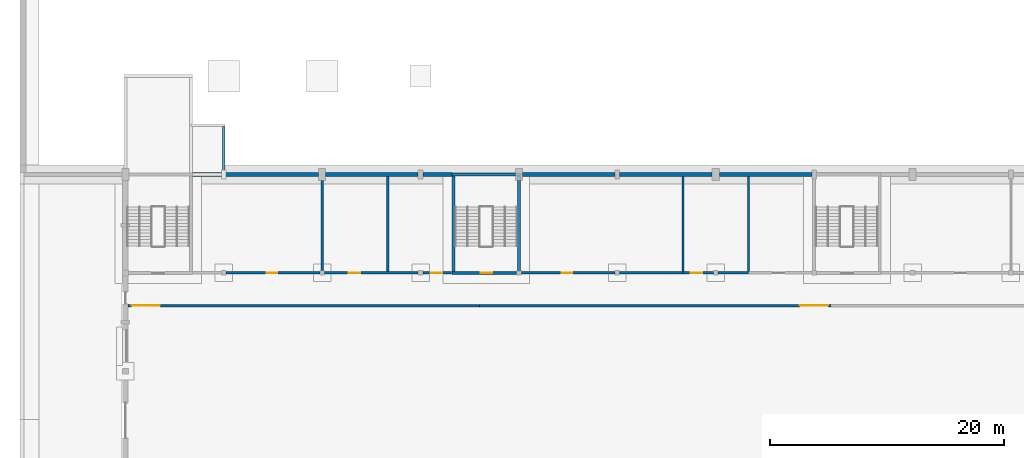
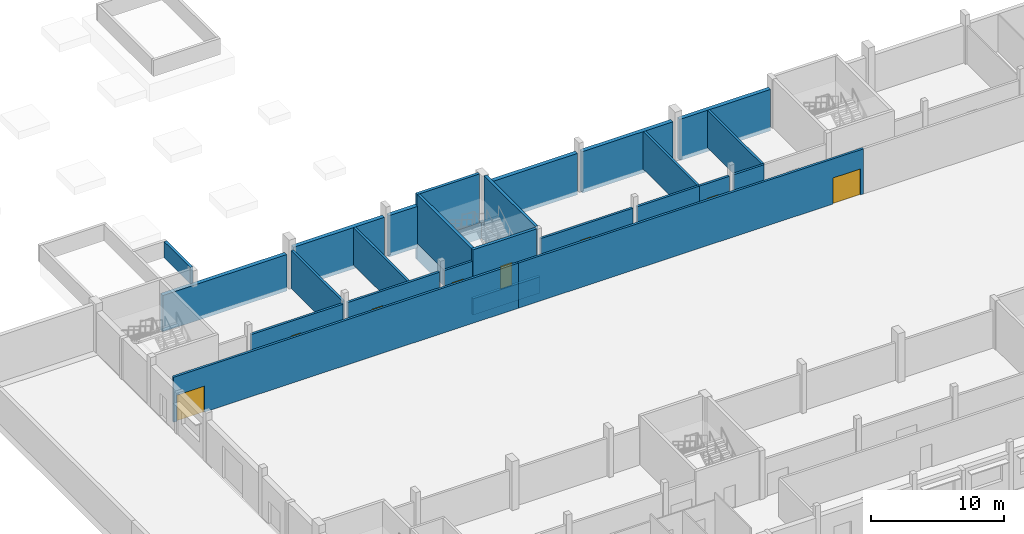
# One storey, part 19 of 36: 28 walls, 8 doors, 8 openings.
"""IFC4 building model written with IfcOpenShell, lengths in metres."""

from ifc_helpers import new_model, si_unit, direction, frame, frame_2d, origin, place, context, subcontext, project, spatial, rectangle, extrude, material, layer, layer_set, type_object, element, fill, save


model = new_model("IFC4")

# Units and contexts
model_context = context("Model", 3, precision=1e-05, world=origin(), true_north=direction((0.0, 1.0)))
body_context = subcontext(model_context, "Body", "Model", "MODEL_VIEW")
ifc_project = project(units=[si_unit("LENGTHUNIT", "METRE"), si_unit("AREAUNIT", "SQUARE_METRE"), si_unit("VOLUMEUNIT", "CUBIC_METRE"), si_unit("PLANEANGLEUNIT", "RADIAN"), si_unit("MASSUNIT", "GRAM", prefix="KILO")], contexts=[model_context])

# Site, building, storey
site_placement = place(None, origin())
site = spatial("IfcSite", under=ifc_project, at=site_placement, CompositionType="ELEMENT")
building_placement = place(site_placement, origin())
building = spatial("IfcBuilding", under=site, at=building_placement, Name="Fescue Hill Polytechnic", CompositionType="ELEMENT")
storey_placement = place(building_placement, origin())
storey = spatial("IfcBuildingStorey", under=building, at=storey_placement, Name="L00", CompositionType="ELEMENT", Elevation=0.0)

# Wall, opening, door
ifc_material_1 = material(Name="Concrete 40 MPa", Category="concrete")
ifc_layer_1 = layer(ifc_material_1, 0.25)
ifc_layer_set_1 = layer_set([ifc_layer_1], Name="Concrete 40 MPa")
wall_type_1 = type_object("IfcWallType", Name="Core wall 250", PredefinedType="SHEAR", material=ifc_layer_set_1)
wall_1_placement = place(storey_placement, frame((27.875, 42.0, 0.0), z_axis=(0.0, 0.0, 1.0), x_axis=(1.0, 0.0, 0.0)))
wall_1 = element("IfcWall", 1, at=wall_1_placement, inside=storey, type_object=wall_type_1, Name="CW-L00-ST-V1-6-11", PredefinedType="SHEAR", context=body_context, shape_type="SweptSolid", body=[
    extrude(rectangle(XDim=5.52490234375, YDim=0.25, at=frame_2d((2.762451171875, 0.0))), origin(), (0.0, 0.0, 1.0), 4.5),
])
opening_1_placement = place(wall_1_placement, frame((2.449951171875, 0.0, 0.0)))
opening_1 = element("IfcOpeningElement", 2, at=opening_1_placement, cuts=wall_1, Name="Opening D0076", PredefinedType="OPENING", context=body_context, shape_type="SweptSolid", body=[
    extrude(rectangle(XDim=1.0, YDim=2.10009765625, at=frame_2d((0.5, 1.050048828125))), frame((0.0, 0.135009765625, 0.0), z_axis=(0.0, -1.0, 0.0), x_axis=(1.0, 0.0, 0.0)), (0.0, 0.0, 1.0), 0.27001953125),
])
ifc_material_2 = material(Name="Steel fire door", Category="steel")
door_type_1 = type_object("IfcDoorType", Name="Door single swing 1000x2100 stair fire rated", OperationType="NOTDEFINED", PredefinedType="DOOR", material=ifc_material_2)
door_1_placement = place(opening_1_placement, origin())
door_1 = element("IfcDoor", 3, at=door_1_placement, inside=storey, type_object=door_type_1, Name="L00 ST-V1-6 stair door", OperationType="SINGLE_SWING_LEFT", OverallHeight=2.10009765625, OverallWidth=1.0, PredefinedType="DOOR", context=body_context, shape_type="SweptSolid", body=[
    extrude(rectangle(XDim=1.0, YDim=2.10009765625, at=frame_2d((0.5, 1.050048828125))), frame((0.0, 0.02490234375, 0.0), z_axis=(0.0, -1.0, 0.0), x_axis=(1.0, 0.0, 0.0)), (0.0, 0.0, 1.0), 0.050048828125),
])
fill(opening_1, door_1)

# Walls
wall_2_placement = place(storey_placement, frame((27.875, 50.39990234375, 0.0), z_axis=(0.0, 0.0, 1.0), x_axis=(1.0, 0.0, 0.0)))
element("IfcWall", 4, at=wall_2_placement, inside=storey, type_object=wall_type_1, Name="CW-L00-ST-V1-6-21", PredefinedType="SHEAR", context=body_context, shape_type="SweptSolid", body=[
    extrude(rectangle(XDim=5.425048828125, YDim=0.25, at=frame_2d((2.71240234375, 0.0))), origin(), (0.0, 0.0, 1.0), 4.5),
])
wall_3_placement = place(storey_placement, frame((28.0, 42.125, 0.0), z_axis=(0.0, 0.0, 1.0), x_axis=(0.0, 1.0, 0.0)))
element("IfcWall", 5, at=wall_3_placement, inside=storey, type_object=wall_type_1, Name="CW-L00-ST-V1-6-31", PredefinedType="SHEAR", context=body_context, shape_type="SweptSolid", body=[
    extrude(rectangle(XDim=8.14990234375, YDim=0.25, at=frame_2d((4.074951171875, 0.0))), origin(), (0.0, 0.0, 1.0), 4.5),
])
wall_4_placement = place(storey_placement, frame((33.60009765625, 42.199951171875, 0.0), z_axis=(0.0, 0.0, 1.0), x_axis=(0.0, 1.0, 0.0)))
element("IfcWall", 6, at=wall_4_placement, inside=storey, type_object=wall_type_1, Name="CW-L00-ST-V1-6-41", PredefinedType="SHEAR", context=body_context, shape_type="SweptSolid", body=[
    extrude(rectangle(XDim=7.699951171875, YDim=0.25, at=frame_2d((3.85009765625, 0.0))), origin(), (0.0, 0.0, 1.0), 4.5),
])
for number, where, z_axis, x_axis, name in (
    (7, (27.875, 42.0, -1.5), (0.0, 0.0, 1.0), (1.0, 0.0, 0.0), "FW-ST-V1-6-1"),
    (8, (27.875, 50.39990234375, -1.5), (0.0, 0.0, 1.0), (1.0, 0.0, 0.0), "FW-ST-V1-6-2"),
):
    element("IfcWall", number, at=place(storey_placement, frame(where, z_axis=z_axis, x_axis=x_axis)), inside=storey, type_object=wall_type_1, Name=name, PredefinedType="SHEAR", context=body_context, shape_type="SweptSolid", body=[
        extrude(rectangle(XDim=5.85009765625, YDim=0.25, at=frame_2d((2.925048828125, 0.0))), origin(), (0.0, 0.0, 1.0), 1.5),
    ])
for number, where, z_axis, x_axis, name in (
    (9, (28.0, 42.125, -1.5), (0.0, 0.0, 1.0), (0.0, 1.0, 0.0), "FW-ST-V1-6-3"),
    (10, (33.60009765625, 42.125, -1.5), (0.0, 0.0, 1.0), (0.0, 1.0, 0.0), "FW-ST-V1-6-4"),
):
    element("IfcWall", number, at=place(storey_placement, frame(where, z_axis=z_axis, x_axis=x_axis)), inside=storey, type_object=wall_type_1, Name=name, PredefinedType="SHEAR", context=body_context, shape_type="SweptSolid", body=[
        extrude(rectangle(XDim=8.14990234375, YDim=0.25, at=frame_2d((4.074951171875, 0.0))), origin(), (0.0, 0.0, 1.0), 1.5),
    ])
ifc_layer_2 = layer(ifc_material_1, 0.25)
ifc_layer_set_2 = layer_set([ifc_layer_2], Name="Concrete 40 MPa")
wall_type_2 = type_object("IfcWallType", Name="Lift pit wall 250", PredefinedType="SHEAR", material=ifc_layer_set_2)
wall_5_placement = place(storey_placement, frame((8.39990234375, 50.52490234375, 3.0), z_axis=(0.0, 0.0, 1.0), x_axis=(0.0, 1.0, 0.0)))
element("IfcWall", 11, at=wall_5_placement, inside=storey, type_object=wall_type_2, Name="PW-L01-LF-V4-1-4", PredefinedType="SHEAR", context=body_context, shape_type="SweptSolid", body=[
    extrude(rectangle(XDim=3.9501953125, YDim=0.25, at=frame_2d((1.97509765625, 0.0))), origin(), (0.0, 0.0, 1.0), 1.5),
])

# Wall, opening, door
ifc_material_3 = material(Name="Concrete masonry block 15 MPa", Category="masonry")
ifc_layer_3 = layer(ifc_material_3, 0.199951171875)
ifc_layer_set_3 = layer_set([ifc_layer_3], Name="Concrete masonry block 15 MPa")
wall_type_3 = type_object("IfcWallType", Name="Plant room wall 200 block EI 60", PredefinedType="PARTITIONING", material=ifc_layer_set_3)
wall_6_placement = place(storey_placement, frame((17.0, 42.0, 0.0), z_axis=(0.0, 0.0, 1.0), x_axis=(1.0, 0.0, 0.0)))
wall_6 = element("IfcWall", 12, at=wall_6_placement, inside=storey, type_object=wall_type_3, Name="IW-L00-049", PredefinedType="PARTITIONING", context=body_context, shape_type="SweptSolid", body=[
    extrude(rectangle(XDim=8.0, YDim=0.199951171875, at=frame_2d((4.0, 0.0))), origin(), (0.0, 0.0, 1.0), 3.449951171875),
])
opening_2_placement = place(wall_6_placement, frame((2.050048828125, 0.0, 0.0)))
opening_2 = element("IfcOpeningElement", 13, at=opening_2_placement, cuts=wall_6, Name="Opening D0050", PredefinedType="OPENING", context=body_context, shape_type="SweptSolid", body=[
    extrude(rectangle(XDim=1.0, YDim=2.10009765625, at=frame_2d((0.5, 1.050048828125))), frame((0.0, 0.10986328125, 0.0), z_axis=(0.0, -1.0, 0.0), x_axis=(1.0, 0.0, 0.0)), (0.0, 0.0, 1.0), 0.219970703125),
])
ifc_material_4 = material(Name="Steel", Category="steel")
door_type_2 = type_object("IfcDoorType", Name="Door single swing 1000x2100 FD60", OperationType="SINGLE_SWING_LEFT", PredefinedType="DOOR", material=ifc_material_4)
door_2_placement = place(opening_2_placement, origin())
door_2 = element("IfcDoor", 14, at=door_2_placement, inside=storey, type_object=door_type_2, Name="Door D0050", OperationType="SINGLE_SWING_LEFT", OverallHeight=2.10009765625, OverallWidth=1.0, PredefinedType="DOOR", context=body_context, shape_type="SweptSolid", body=[
    extrude(rectangle(XDim=1.0, YDim=2.10009765625, at=frame_2d((0.5, 1.050048828125))), frame((0.0, 0.02490234375, 0.0), z_axis=(0.0, -1.0, 0.0), x_axis=(1.0, 0.0, 0.0)), (0.0, 0.0, 1.0), 0.050048828125),
])
fill(opening_2, door_2)

wall_7_placement = place(storey_placement, frame((25.39990234375, 42.0, 0.0), z_axis=(0.0, 0.0, 1.0), x_axis=(1.0, 0.0, 0.0)))
wall_7 = element("IfcWall", 15, at=wall_7_placement, inside=storey, type_object=wall_type_3, Name="IW-L00-050", PredefinedType="PARTITIONING", context=body_context, shape_type="SweptSolid", body=[
    extrude(rectangle(XDim=2.4501953125, YDim=0.199951171875, at=frame_2d((1.22509765625, 0.0))), origin(), (0.0, 0.0, 1.0), 3.449951171875),
])
opening_3_placement = place(wall_7_placement, frame((0.64990234375, 0.0, 0.0)))
opening_3 = element("IfcOpeningElement", 16, at=opening_3_placement, cuts=wall_7, Name="Opening D0051", PredefinedType="OPENING", context=body_context, shape_type="SweptSolid", body=[
    extrude(rectangle(XDim=1.0, YDim=2.10009765625, at=frame_2d((0.5, 1.050048828125))), frame((0.0, 0.10986328125, 0.0), z_axis=(0.0, -1.0, 0.0), x_axis=(1.0, 0.0, 0.0)), (0.0, 0.0, 1.0), 0.219970703125),
])
door_3_placement = place(opening_3_placement, origin())
door_3 = element("IfcDoor", 17, at=door_3_placement, inside=storey, type_object=door_type_2, Name="Door D0051", OperationType="SINGLE_SWING_LEFT", OverallHeight=2.10009765625, OverallWidth=1.0, PredefinedType="DOOR", context=body_context, shape_type="SweptSolid", body=[
    extrude(rectangle(XDim=1.0, YDim=2.10009765625, at=frame_2d((0.5, 1.050048828125))), frame((0.0, 0.02490234375, 0.0), z_axis=(0.0, -1.0, 0.0), x_axis=(1.0, 0.0, 0.0)), (0.0, 0.0, 1.0), 0.050048828125),
])
fill(opening_3, door_3)

wall_8_placement = place(storey_placement, frame((47.60009765625, 42.0, 0.0), z_axis=(0.0, 0.0, 1.0), x_axis=(1.0, 0.0, 0.0)))
wall_8 = element("IfcWall", 18, at=wall_8_placement, inside=storey, type_object=wall_type_3, Name="IW-L00-051", PredefinedType="PARTITIONING", context=body_context, shape_type="SweptSolid", body=[
    extrude(rectangle(XDim=2.599853515625, YDim=0.199951171875, at=frame_2d((1.2998046875, 0.0))), origin(), (0.0, 0.0, 1.0), 3.449951171875),
])
opening_4_placement = place(wall_8_placement, frame((0.64990234375, 0.0, 0.0)))
opening_4 = element("IfcOpeningElement", 19, at=opening_4_placement, cuts=wall_8, Name="Opening D0053", PredefinedType="OPENING", context=body_context, shape_type="SweptSolid", body=[
    extrude(rectangle(XDim=1.0, YDim=2.10009765625, at=frame_2d((0.5, 1.050048828125))), frame((0.0, 0.10986328125, 0.0), z_axis=(0.0, -1.0, 0.0), x_axis=(1.0, 0.0, 0.0)), (0.0, 0.0, 1.0), 0.219970703125),
])
door_4_placement = place(opening_4_placement, origin())
door_4 = element("IfcDoor", 20, at=door_4_placement, inside=storey, type_object=door_type_2, Name="Door D0053", OperationType="SINGLE_SWING_LEFT", OverallHeight=2.10009765625, OverallWidth=1.0, PredefinedType="DOOR", context=body_context, shape_type="SweptSolid", body=[
    extrude(rectangle(XDim=1.0, YDim=2.10009765625, at=frame_2d((0.5, 1.050048828125))), frame((0.0, 0.02490234375, 0.0), z_axis=(0.0, -1.0, 0.0), x_axis=(1.0, 0.0, 0.0)), (0.0, 0.0, 1.0), 0.050048828125),
])
fill(opening_4, door_4)

# Walls
wall_9_placement = place(storey_placement, frame((50.60009765625, 42.0, 0.0), z_axis=(0.0, 0.0, 1.0), x_axis=(1.0, 0.0, 0.0)))
element("IfcWall", 21, at=wall_9_placement, inside=storey, type_object=wall_type_3, Name="IW-L00-052", PredefinedType="PARTITIONING", context=body_context, shape_type="SweptSolid", body=[
    extrude(rectangle(XDim=2.599853515625, YDim=0.199951171875, at=frame_2d((1.2998046875, 0.0))), origin(), (0.0, 0.0, 1.0), 3.449951171875),
])
wall_10_placement = place(storey_placement, frame((16.800048828125, 42.199951171875, 0.0), z_axis=(0.0, 0.0, 1.0), x_axis=(0.0, 1.0, 0.0)))
element("IfcWall", 22, at=wall_10_placement, inside=storey, type_object=wall_type_3, Name="IW-L00-071", PredefinedType="PARTITIONING", context=body_context, shape_type="SweptSolid", body=[
    extrude(rectangle(XDim=7.699951171875, YDim=0.199951171875, at=frame_2d((3.85009765625, 0.0))), origin(), (0.0, 0.0, 1.0), 3.5),
])
for number, where, z_axis, x_axis, name in (
    (23, (22.39990234375, 42.0, 0.0), (0.0, 0.0, 1.0), (0.0, 1.0, 0.0), "IW-L00-072"),
    (24, (47.60009765625, 42.0, 0.0), (0.0, 0.0, 1.0), (0.0, 1.0, 0.0), "IW-L00-077"),
    (25, (53.199951171875, 42.0, 0.0), (0.0, 0.0, 1.0), (0.0, 1.0, 0.0), "IW-L00-078"),
):
    element("IfcWall", number, at=place(storey_placement, frame(where, z_axis=z_axis, x_axis=x_axis)), inside=storey, type_object=wall_type_3, Name=name, PredefinedType="PARTITIONING", context=body_context, shape_type="SweptSolid", body=[
        extrude(rectangle(XDim=8.22509765625, YDim=0.199951171875, at=frame_2d((4.112548828125, 0.0))), origin(), (0.0, 0.0, 1.0), 3.449951171875),
    ])
ifc_material_5 = material(Name="Concrete 35 MPa", Category="concrete")
ifc_layer_4 = layer(ifc_material_5, 0.35009765625)
ifc_layer_set_4 = layer_set([ifc_layer_4], Name="Concrete 35 MPa")
wall_type_4 = type_object("IfcWallType", Name="Retaining wall 350", PredefinedType="SOLIDWALL", material=ifc_layer_set_4)
wall_11_placement = place(storey_placement, frame((41.800048828125, 50.39990234375, -0.35009765625), z_axis=(0.0, 0.0, 1.0), x_axis=(-1.0, 0.0, 0.0)))
element("IfcWall", 26, at=wall_11_placement, inside=storey, type_object=wall_type_4, Name="RE-L00-V1-10", PredefinedType="SOLIDWALL", context=body_context, shape_type="SweptSolid", body=[
    extrude(rectangle(XDim=7.900146484375, YDim=0.35009765625, at=frame_2d((3.9501953125, 0.0))), origin(), (0.0, 0.0, 1.0), 3.800048828125),
])
wall_12_placement = place(storey_placement, frame((25.0, 50.39990234375, -0.35009765625), z_axis=(0.0, 0.0, 1.0), x_axis=(-1.0, 0.0, 0.0)))
element("IfcWall", 27, at=wall_12_placement, inside=storey, type_object=wall_type_4, Name="RE-L00-V1-12", PredefinedType="SOLIDWALL", context=body_context, shape_type="SweptSolid", body=[
    extrude(rectangle(XDim=7.89990234375, YDim=0.35009765625, at=frame_2d((3.949951171875, 0.0))), origin(), (0.0, 0.0, 1.0), 3.800048828125),
])
for number, where, z_axis, x_axis, name in (
    (28, (58.60009765625, 50.39990234375, -0.35009765625), (0.0, 0.0, 1.0), (-1.0, 0.0, 0.0), "RE-L00-V1-8"),
    (29, (50.10009765625, 50.39990234375, -0.35009765625), (0.0, 0.0, 1.0), (-1.0, 0.0, 0.0), "RE-L00-V1-9"),
):
    element("IfcWall", number, at=place(storey_placement, frame(where, z_axis=z_axis, x_axis=x_axis)), inside=storey, type_object=wall_type_4, Name=name, PredefinedType="SOLIDWALL", context=body_context, shape_type="SweptSolid", body=[
        extrude(rectangle(XDim=7.900146484375, YDim=0.35009765625, at=frame_2d((3.9501953125, 0.0))), origin(), (0.0, 0.0, 1.0), 3.800048828125),
    ])
wall_13_placement = place(storey_placement, frame((27.875, 50.39990234375, -0.35009765625), z_axis=(0.0, 0.0, 1.0), x_axis=(-1.0, 0.0, 0.0)))
element("IfcWall", 30, at=wall_13_placement, inside=storey, type_object=wall_type_4, Name="RE-L00-V1-11", PredefinedType="SOLIDWALL", context=body_context, shape_type="SweptSolid", body=[
    extrude(rectangle(XDim=2.47509765625, YDim=0.35009765625, at=frame_2d((1.237548828125, 0.0))), origin(), (0.0, 0.0, 1.0), 3.800048828125),
])
wall_14_placement = place(storey_placement, frame((16.5, 50.39990234375, -0.35009765625), z_axis=(0.0, 0.0, 1.0), x_axis=(-1.0, 0.0, 0.0)))
element("IfcWall", 31, at=wall_14_placement, inside=storey, type_object=wall_type_4, Name="RE-L00-V1-13", PredefinedType="SOLIDWALL", context=body_context, shape_type="SweptSolid", body=[
    extrude(rectangle(XDim=10.77490234375, YDim=0.35009765625, at=frame_2d((5.387451171875, 0.0))), origin(), (0.0, 0.0, 1.0), 3.35009765625),
])

# Wall, opening, door
ifc_layer_5 = layer(ifc_material_3, 0.199951171875)
ifc_layer_set_5 = layer_set([ifc_layer_5], Name="Concrete masonry block 15 MPa")
wall_type_5 = type_object("IfcWallType", Name="Workshop wall 200 block EI 60", PredefinedType="PARTITIONING", material=ifc_layer_set_5)
wall_15_placement = place(storey_placement, frame((0.239990234375, 39.199951171875, 0.0), z_axis=(0.0, 0.0, 1.0), x_axis=(1.0, 0.0, 0.0)))
wall_15 = element("IfcWall", 32, at=wall_15_placement, inside=storey, type_object=wall_type_5, Name="IW-L00-043", PredefinedType="PARTITIONING", context=body_context, shape_type="SweptSolid", body=[
    extrude(rectangle(XDim=30.0, YDim=0.199951171875, at=frame_2d((15.0, 0.0))), origin(), (0.0, 0.0, 1.0), 4.14990234375),
])
opening_5_placement = place(wall_15_placement, frame((0.300048828125, 0.0, 0.0)))
opening_5 = element("IfcOpeningElement", 33, at=opening_5_placement, cuts=wall_15, Name="Opening D0048", PredefinedType="OPENING", context=body_context, shape_type="SweptSolid", body=[
    extrude(rectangle(XDim=2.39990234375, YDim=2.39990234375, at=frame_2d((1.199951171875, 1.199951171875))), frame((0.0, 0.10986328125, 0.0), z_axis=(0.0, -1.0, 0.0), x_axis=(1.0, 0.0, 0.0)), (0.0, 0.0, 1.0), 0.219970703125),
])
door_type_3 = type_object("IfcDoorType", Name="Door double swing 2400x2400 FD60 equipment", OperationType="DOUBLE_DOOR_SINGLE_SWING", PredefinedType="DOOR", material=ifc_material_4)
door_5_placement = place(opening_5_placement, origin())
door_5 = element("IfcDoor", 34, at=door_5_placement, inside=storey, type_object=door_type_3, Name="Door D0048", OperationType="DOUBLE_DOOR_SINGLE_SWING", OverallHeight=2.39990234375, OverallWidth=2.39990234375, PredefinedType="DOOR", context=body_context, shape_type="SweptSolid", body=[
    extrude(rectangle(XDim=2.39990234375, YDim=2.39990234375, at=frame_2d((1.199951171875, 1.199951171875))), frame((0.0, 0.02490234375, 0.0), z_axis=(0.0, -1.0, 0.0), x_axis=(1.0, 0.0, 0.0)), (0.0, 0.0, 1.0), 0.050048828125),
])
fill(opening_5, door_5)

wall_16_placement = place(storey_placement, frame((30.239990234375, 39.199951171875, 0.0), z_axis=(0.0, 0.0, 1.0), x_axis=(1.0, 0.0, 0.0)))
wall_16 = element("IfcWall", 35, at=wall_16_placement, inside=storey, type_object=wall_type_5, Name="IW-L00-044", PredefinedType="PARTITIONING", context=body_context, shape_type="SweptSolid", body=[
    extrude(rectangle(XDim=30.0, YDim=0.199951171875, at=frame_2d((15.0, 0.0))), origin(), (0.0, 0.0, 1.0), 4.14990234375),
])
opening_6_placement = place(wall_16_placement, frame((27.35009765625, 0.0, 0.0)))
opening_6 = element("IfcOpeningElement", 36, at=opening_6_placement, cuts=wall_16, Name="Opening D0046", PredefinedType="OPENING", context=body_context, shape_type="SweptSolid", body=[
    extrude(rectangle(XDim=2.39990234375, YDim=2.39990234375, at=frame_2d((1.199951171875, 1.199951171875))), frame((0.0, 0.10986328125, 0.0), z_axis=(0.0, -1.0, 0.0), x_axis=(1.0, 0.0, 0.0)), (0.0, 0.0, 1.0), 0.219970703125),
])
door_6_placement = place(opening_6_placement, origin())
door_6 = element("IfcDoor", 37, at=door_6_placement, inside=storey, type_object=door_type_3, Name="Door D0046", OperationType="DOUBLE_DOOR_SINGLE_SWING", OverallHeight=2.39990234375, OverallWidth=2.39990234375, PredefinedType="DOOR", context=body_context, shape_type="SweptSolid", body=[
    extrude(rectangle(XDim=2.39990234375, YDim=2.39990234375, at=frame_2d((1.199951171875, 1.199951171875))), frame((0.0, 0.02490234375, 0.0), z_axis=(0.0, -1.0, 0.0), x_axis=(1.0, 0.0, 0.0)), (0.0, 0.0, 1.0), 0.050048828125),
])
fill(opening_6, door_6)

wall_17_placement = place(storey_placement, frame((8.60009765625, 42.0, 0.0), z_axis=(0.0, 0.0, 1.0), x_axis=(1.0, 0.0, 0.0)))
wall_17 = element("IfcWall", 38, at=wall_17_placement, inside=storey, type_object=wall_type_5, Name="IW-L00-059", PredefinedType="PARTITIONING", context=body_context, shape_type="SweptSolid", body=[
    extrude(rectangle(XDim=8.0, YDim=0.199951171875, at=frame_2d((4.0, 0.0))), origin(), (0.0, 0.0, 1.0), 3.449951171875),
])
opening_7_placement = place(wall_17_placement, frame((3.449951171875, 0.0, 0.0)))
opening_7 = element("IfcOpeningElement", 39, at=opening_7_placement, cuts=wall_17, Name="Opening D0049", PredefinedType="OPENING", context=body_context, shape_type="SweptSolid", body=[
    extrude(rectangle(XDim=0.89990234375, YDim=2.10009765625, at=frame_2d((0.449951171875, 1.050048828125))), frame((0.0, 0.10986328125, 0.0), z_axis=(0.0, -1.0, 0.0), x_axis=(1.0, 0.0, 0.0)), (0.0, 0.0, 1.0), 0.219970703125),
])
door_type_4 = type_object("IfcDoorType", Name="Door single swing 900x2100 FD60", OperationType="SINGLE_SWING_LEFT", PredefinedType="DOOR", material=ifc_material_4)
door_7_placement = place(opening_7_placement, origin())
door_7 = element("IfcDoor", 40, at=door_7_placement, inside=storey, type_object=door_type_4, Name="Door D0049", OperationType="SINGLE_SWING_LEFT", OverallHeight=2.10009765625, OverallWidth=0.89990234375, PredefinedType="DOOR", context=body_context, shape_type="SweptSolid", body=[
    extrude(rectangle(XDim=0.89990234375, YDim=2.10009765625, at=frame_2d((0.449951171875, 1.050048828125))), frame((0.0, 0.02490234375, 0.0), z_axis=(0.0, -1.0, 0.0), x_axis=(1.0, 0.0, 0.0)), (0.0, 0.0, 1.0), 0.050048828125),
])
fill(opening_7, door_7)

wall_18_placement = place(storey_placement, frame((33.800048828125, 42.0, 0.0), z_axis=(0.0, 0.0, 1.0), x_axis=(1.0, 0.0, 0.0)))
wall_18 = element("IfcWall", 41, at=wall_18_placement, inside=storey, type_object=wall_type_5, Name="IW-L00-060", PredefinedType="PARTITIONING", context=body_context, shape_type="SweptSolid", body=[
    extrude(rectangle(XDim=8.0, YDim=0.199951171875, at=frame_2d((4.0, 0.0))), origin(), (0.0, 0.0, 1.0), 3.449951171875),
])
opening_8_placement = place(wall_18_placement, frame((3.449951171875, 0.0, 0.0)))
opening_8 = element("IfcOpeningElement", 42, at=opening_8_placement, cuts=wall_18, Name="Opening D0052", PredefinedType="OPENING", context=body_context, shape_type="SweptSolid", body=[
    extrude(rectangle(XDim=0.89990234375, YDim=2.10009765625, at=frame_2d((0.449951171875, 1.050048828125))), frame((0.0, 0.10986328125, 0.0), z_axis=(0.0, -1.0, 0.0), x_axis=(1.0, 0.0, 0.0)), (0.0, 0.0, 1.0), 0.219970703125),
])
door_8_placement = place(opening_8_placement, origin())
door_8 = element("IfcDoor", 43, at=door_8_placement, inside=storey, type_object=door_type_4, Name="Door D0052", OperationType="SINGLE_SWING_LEFT", OverallHeight=2.10009765625, OverallWidth=0.89990234375, PredefinedType="DOOR", context=body_context, shape_type="SweptSolid", body=[
    extrude(rectangle(XDim=0.89990234375, YDim=2.10009765625, at=frame_2d((0.449951171875, 1.050048828125))), frame((0.0, 0.02490234375, 0.0), z_axis=(0.0, -1.0, 0.0), x_axis=(1.0, 0.0, 0.0)), (0.0, 0.0, 1.0), 0.050048828125),
])
fill(opening_8, door_8)

# Wall
wall_19_placement = place(storey_placement, frame((42.199951171875, 42.0, 0.0), z_axis=(0.0, 0.0, 1.0), x_axis=(1.0, 0.0, 0.0)))
element("IfcWall", 44, at=wall_19_placement, inside=storey, type_object=wall_type_5, Name="IW-L00-061", PredefinedType="PARTITIONING", context=body_context, shape_type="SweptSolid", body=[
    extrude(rectangle(XDim=5.400146484375, YDim=0.199951171875, at=frame_2d((2.7001953125, 0.0))), origin(), (0.0, 0.0, 1.0), 3.449951171875),
])

save(model, "model.ifc")
